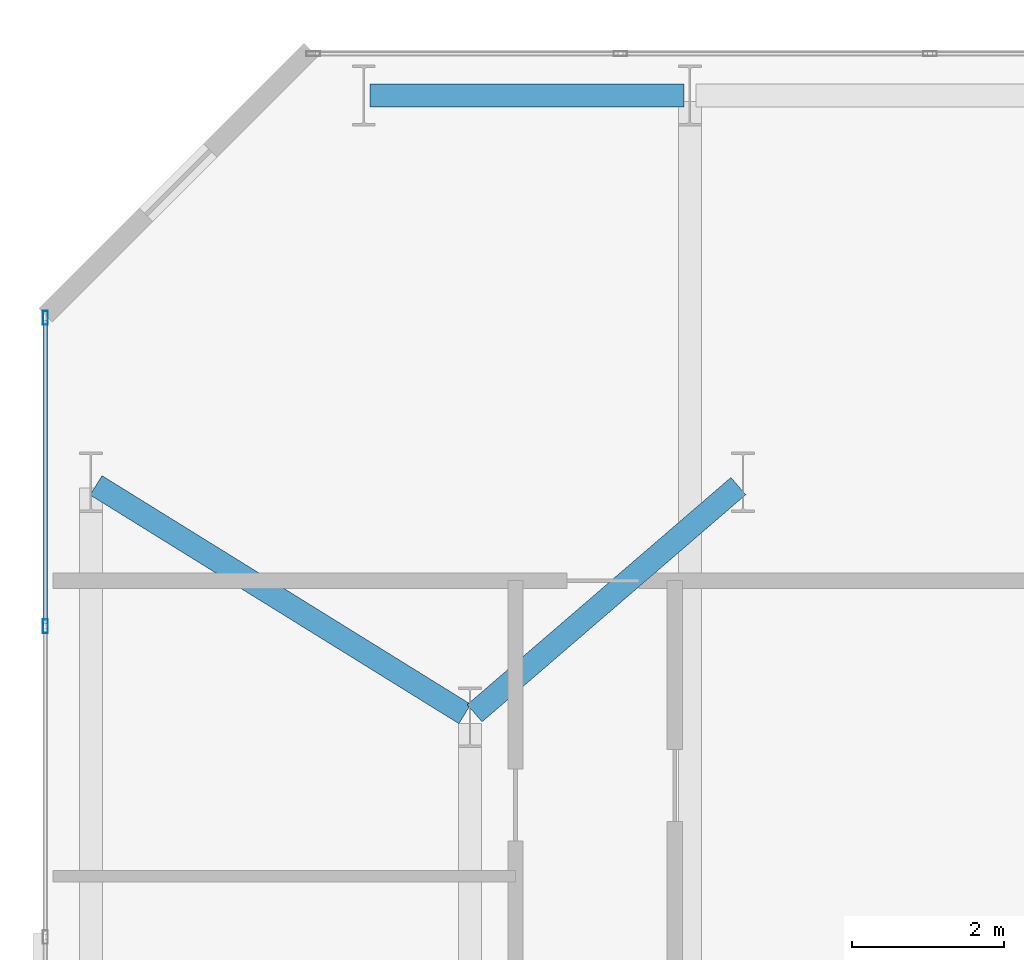
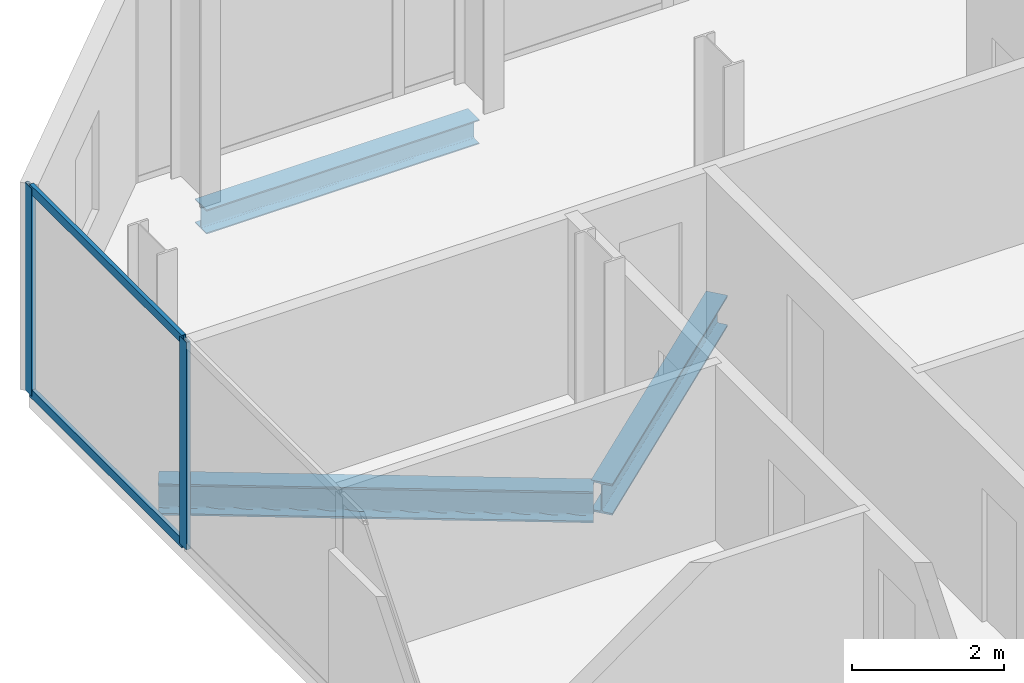
# One storey, part 20 of 33: 4 members, 3 beams, 1 element without a shape of its own.
"""IFC4 building model written with IfcOpenShell, lengths in metres."""

from ifc_helpers import new_model, si_unit, direction, frame, origin, origin_2d, place, context, subcontext, project, spatial, hollow_rectangle, i_section, extrude, material, layer, layer_set, material_profile, profile_set, type_object, element, aggregate, save


model = new_model("IFC4")

# Units and contexts
model_context = context("Model", 3, precision=1e-05, world=origin(), true_north=direction((0.0, 1.0)))
body_context = subcontext(model_context, "Body", "Model", "MODEL_VIEW")
ifc_project = project(units=[si_unit("LENGTHUNIT", "METRE"), si_unit("AREAUNIT", "SQUARE_METRE"), si_unit("VOLUMEUNIT", "CUBIC_METRE"), si_unit("PLANEANGLEUNIT", "RADIAN"), si_unit("MASSUNIT", "GRAM", prefix="KILO")], contexts=[model_context])

# Site, building, storey
site_placement = place(None, origin())
site = spatial("IfcSite", under=ifc_project, at=site_placement, CompositionType="ELEMENT")
building_placement = place(site_placement, origin())
building = spatial("IfcBuilding", under=site, at=building_placement, Name="Catumbela Crestline Tower", CompositionType="ELEMENT")
storey_placement = place(building_placement, frame((0.0, 0.0, 58.2)))
storey = spatial("IfcBuildingStorey", under=building, at=storey_placement, Name="L14", CompositionType="ELEMENT", Elevation=58.2)

# Beams
ifc_material_1 = material(Name="Structural steel S355J2", Category="steel")
ifc_material_profile_1 = material_profile(ifc_material_1, i_section(OverallWidth=0.3, OverallDepth=0.5, WebThickness=0.0145, FlangeThickness=0.028, FilletRadius=0.027, at=origin_2d()), Name="HEB 500")
ifc_profile_set_1 = profile_set([ifc_material_profile_1], Name="Structural steel S355J2")
beam_type_1 = type_object("IfcBeamType", Name="BG-HEB500", PredefinedType="BEAM", material=ifc_profile_set_1)
beam_1_placement = place(storey_placement, frame((0.668, 42.2578, -0.51), z_axis=(0.849908952007, -0.526929571479, 0.0), x_axis=(0.526929571479, 0.849908952007, 0.0)))
element("IfcBeam", 1, at=beam_1_placement, inside=storey, type_object=beam_type_1, Name="L14 Beam BM-L14-N13", PredefinedType="BEAM", context=body_context, shape_type="SweptSolid", body=[
    extrude(i_section(OverallWidth=0.3, OverallDepth=0.5, WebThickness=0.0145, FlangeThickness=0.028, FilletRadius=0.027, at=origin_2d()), origin(), (0.0, 0.0, 1.0), 5.723),
])
beam_2_placement = place(storey_placement, frame((5.6606, 39.2522, -0.51), z_axis=(0.757772392559, 0.652518966066, 0.0), x_axis=(-0.652518966066, 0.757772392559, 0.0)))
element("IfcBeam", 2, at=beam_2_placement, inside=storey, type_object=beam_type_1, Name="L14 Beam BM-L14-N14", PredefinedType="BEAM", context=body_context, shape_type="SweptSolid", body=[
    extrude(i_section(OverallWidth=0.3, OverallDepth=0.5, WebThickness=0.0145, FlangeThickness=0.028, FilletRadius=0.027, at=origin_2d()), origin(), (0.0, 0.0, 1.0), 4.5908),
])

# Curtain wall, members
ifc_material_2 = material(Name="Aluminium alloy AW-6060-T66", Category="aluminium")
ifc_layer = layer(ifc_material_2, 0.18, Name="Aluminium alloy AW-6060-T66")
ifc_layer_set = layer_set([ifc_layer], Name="Aluminium alloy AW-6060-T66")
curtain_wall_type = type_object("IfcCurtainWallType", Name="CWU-Z1", PredefinedType="USERDEFINED", material=ifc_layer_set)
curtain_wall_placement = place(storey_placement, origin())
curtain_wall = element("IfcCurtainWall", 3, at=curtain_wall_placement, inside=storey, type_object=curtain_wall_type, Name="L14 Unitised Curtain Wall CW-L14-E9S1", ObjectType="UNITISED", PredefinedType="USERDEFINED")
ifc_material_profile_2 = material_profile(ifc_material_2, hollow_rectangle(XDim=0.065, YDim=0.18, WallThickness=0.004, at=origin_2d()), Name="ALU 180x65x4")
ifc_profile_set_2 = profile_set([ifc_material_profile_2], Name="Aluminium alloy AW-6060-T66")
member_type_1 = type_object("IfcMemberType", Name="MUL-180X65", PredefinedType="MULLION", material=ifc_profile_set_2)
member_1_placement = place(storey_placement, frame((0.0, 44.4675, 0.0), z_axis=(0.0, 0.0, 1.0), x_axis=(1.0, 0.0, 0.0)))
member_1 = element("IfcMember", 4, at=member_1_placement, type_object=member_type_1, Name="CWU-Z1 mullion 1", PredefinedType="MULLION", context=body_context, shape_type="SweptSolid", body=[
    extrude(hollow_rectangle(XDim=0.065, YDim=0.18, WallThickness=0.004, at=origin_2d()), origin(), (0.0, 0.0, 1.0), 3.33),
])
member_2_placement = place(storey_placement, frame((0.0, 40.4, 0.0), z_axis=(0.0, 0.0, 1.0), x_axis=(1.0, 0.0, 0.0)))
member_2 = element("IfcMember", 5, at=member_2_placement, type_object=member_type_1, Name="CWU-Z1 mullion 2", PredefinedType="MULLION", context=body_context, shape_type="SweptSolid", body=[
    extrude(hollow_rectangle(XDim=0.065, YDim=0.18, WallThickness=0.004, at=origin_2d()), origin(), (0.0, 0.0, 1.0), 3.33),
])

# Beam
ifc_material_profile_3 = material_profile(ifc_material_1, i_section(OverallWidth=0.3, OverallDepth=0.39, WebThickness=0.011, FlangeThickness=0.019, FilletRadius=0.027, at=origin_2d()), Name="HEA 400")
ifc_profile_set_3 = profile_set([ifc_material_profile_3], Name="Structural steel S355J2")
beam_type_2 = type_object("IfcBeamType", Name="BS-HEA400", PredefinedType="SPANDREL", material=ifc_profile_set_3)
beam_3_placement = place(storey_placement, frame((4.28, 47.4, -0.455), z_axis=(1.0, 0.0, 0.0), x_axis=(0.0, 1.0, 0.0)))
element("IfcBeam", 6, at=beam_3_placement, inside=storey, type_object=beam_type_2, Name="L14 Spandrel SP-L14-NF19", PredefinedType="SPANDREL", context=body_context, shape_type="SweptSolid", body=[
    extrude(i_section(OverallWidth=0.3, OverallDepth=0.39, WebThickness=0.011, FlangeThickness=0.019, FilletRadius=0.027, at=origin_2d()), origin(), (0.0, 0.0, 1.0), 4.14),
])

# Member
ifc_material_profile_4 = material_profile(ifc_material_2, hollow_rectangle(XDim=0.06, YDim=0.14, WallThickness=0.004, at=origin_2d()), Name="ALU 140x60x4")
ifc_profile_set_4 = profile_set([ifc_material_profile_4], Name="Aluminium alloy AW-6060-T66")
member_type_2 = type_object("IfcMemberType", Name="TRN-140X60", PredefinedType="USERDEFINED", material=ifc_profile_set_4)
member_3_placement = place(storey_placement, frame((0.0, 44.435, 0.03), z_axis=(0.0, -1.0, 0.0), x_axis=(1.0, 0.0, 0.0)))
member_3 = element("IfcMember", 7, at=member_3_placement, type_object=member_type_2, Name="CWU-Z1 transom 1.1", ObjectType="TRANSOM", PredefinedType="USERDEFINED", context=body_context, shape_type="SweptSolid", body=[
    extrude(hollow_rectangle(XDim=0.06, YDim=0.14, WallThickness=0.004, at=origin_2d()), origin(), (0.0, 0.0, 1.0), 4.0025),
])

member_4_placement = place(storey_placement, frame((0.0, 44.435, 3.3), z_axis=(0.0, -1.0, 0.0), x_axis=(1.0, 0.0, 0.0)))
member_4 = element("IfcMember", 8, at=member_4_placement, type_object=member_type_2, Name="CWU-Z1 transom 1.2", ObjectType="TRANSOM", PredefinedType="USERDEFINED", context=body_context, shape_type="SweptSolid", body=[
    extrude(hollow_rectangle(XDim=0.06, YDim=0.14, WallThickness=0.004, at=origin_2d()), origin(), (0.0, 0.0, 1.0), 4.0025),
])

aggregate(curtain_wall, [member_1, member_2, member_3, member_4])

save(model, "model.ifc")
